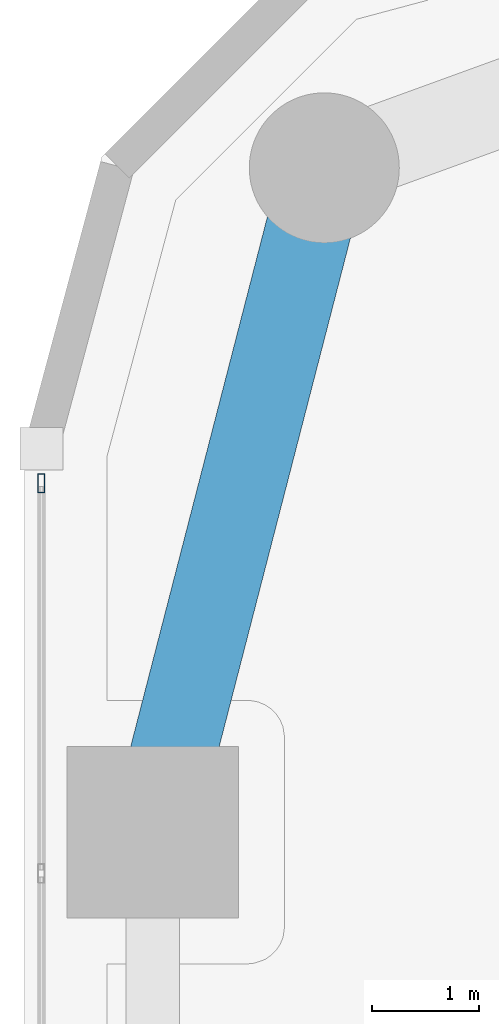
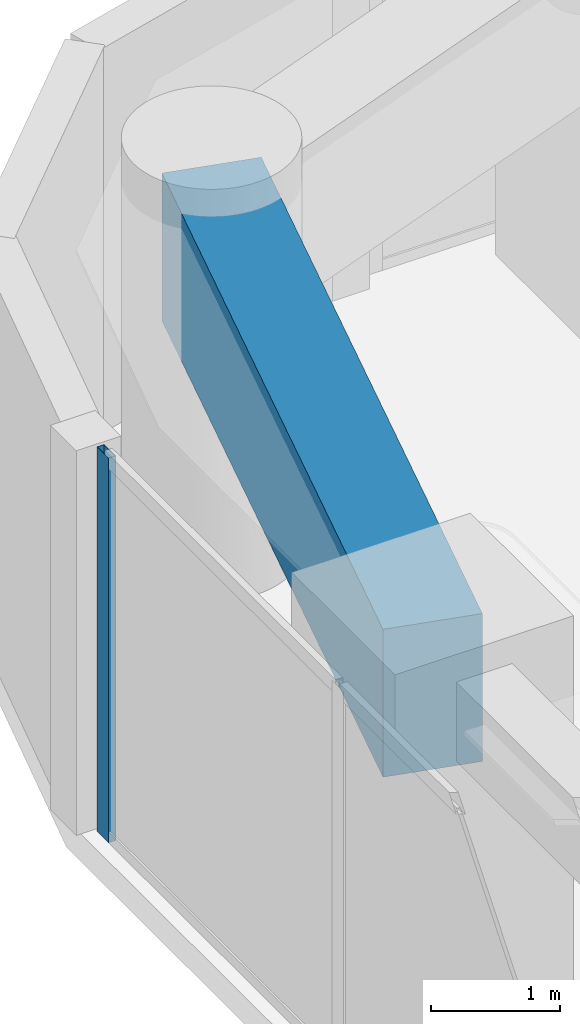
# One storey, part 14 of 28: 1 beam, 1 member, 1 element without a shape of its own.
"""IFC4 building model written with IfcOpenShell, lengths in metres."""

from ifc_helpers import new_model, si_unit, direction, frame, origin, origin_2d, place, context, subcontext, project, spatial, rectangle, hollow_rectangle, extrude, material, layer, layer_set, material_profile, profile_set, type_object, element, aggregate, save


model = new_model("IFC4")

# Units and contexts
model_context = context("Model", 3, precision=1e-05, world=origin(), true_north=direction((0.0, 1.0)))
body_context = subcontext(model_context, "Body", "Model", "MODEL_VIEW")
ifc_project = project(units=[si_unit("LENGTHUNIT", "METRE"), si_unit("AREAUNIT", "SQUARE_METRE"), si_unit("VOLUMEUNIT", "CUBIC_METRE"), si_unit("PLANEANGLEUNIT", "RADIAN"), si_unit("MASSUNIT", "GRAM", prefix="KILO")], contexts=[model_context])

# Site, building, storey
site_placement = place(None, origin())
site = spatial("IfcSite", under=ifc_project, at=site_placement, CompositionType="ELEMENT")
building_placement = place(site_placement, origin())
building = spatial("IfcBuilding", under=site, at=building_placement, Name="Kiyonajd Concourse Tower", CompositionType="ELEMENT")
storey_placement = place(building_placement, frame((0.0, 0.0, 33.300048828125)))
storey = spatial("IfcBuildingStorey", under=building, at=storey_placement, Name="L09", CompositionType="ELEMENT", Elevation=33.300048828125)

# Beam
ifc_material_1 = material(Name="Concrete C60/75", Category="concrete")
ifc_material_profile_1 = material_profile(ifc_material_1, rectangle(XDim=0.800048828125, YDim=1.39990234375, at=origin_2d()), Name="RCBM-800x1400")
ifc_profile_set_1 = profile_set([ifc_material_profile_1], Name="Concrete C60/75")
beam_type = type_object("IfcBeamType", Name="BM-XFER-RC", PredefinedType="BEAM", material=ifc_profile_set_1)
beam_placement = place(storey_placement, frame((20.800048828125, 59.60009765625, 2.93994140625), z_axis=(-0.249884937687, -0.968275538221, 0.0), x_axis=(0.968275538221, -0.249884937687, 0.0)))
element("IfcBeam", 1, at=beam_placement, inside=storey, type_object=beam_type, Name="L09 Perimeter Bundled Tube Spandrel", PredefinedType="BEAM", context=body_context, shape_type="SweptSolid", body=[
    extrude(rectangle(XDim=0.800048828125, YDim=1.39990234375, at=origin_2d()), origin(), (0.0, 0.0, 1.0), 6.4033203125),
])

# Curtain wall, member
ifc_material_2 = material(Name="Thermally Broken Anodised Aluminium", Category="aluminium")
ifc_layer = layer(ifc_material_2, 0.179931640625)
ifc_layer_set = layer_set([ifc_layer], Name="Thermally Broken Anodised Aluminium")
curtain_wall_type = type_object("IfcCurtainWallType", Name="CW-SYS-02", PredefinedType="NOTDEFINED", material=ifc_layer_set)
curtain_wall_placement = place(storey_placement, origin())
curtain_wall = element("IfcCurtainWall", 2, at=curtain_wall_placement, inside=storey, type_object=curtain_wall_type, Name="L09 Unitised Curtain Wall CW2", PredefinedType="NOTDEFINED")
ifc_material_profile_2 = material_profile(ifc_material_2, hollow_rectangle(XDim=0.06494140625, YDim=0.179931640625, WallThickness=0.00390625, at=origin_2d()), Name="MULL-65x180")
ifc_profile_set_2 = profile_set([ifc_material_profile_2], Name="Thermally Broken Anodised Aluminium")
member_type = type_object("IfcMemberType", Name="MB-CW-MULL1", PredefinedType="MULLION", material=ifc_profile_set_2)
member_placement = place(storey_placement, frame((18.159912109375, 56.656494140625, 0.0), z_axis=(0.0, 0.0, 1.0), x_axis=(-1.0, 0.0, 0.0)))
member = element("IfcMember", 3, at=member_placement, type_object=member_type, Name="CW2 mullion 7", PredefinedType="MULLION", context=body_context, shape_type="SweptSolid", body=[
    extrude(hollow_rectangle(XDim=0.06494140625, YDim=0.179931640625, WallThickness=0.00390625, at=origin_2d()), origin(), (0.0, 0.0, 1.0), 3.639892578125),
])
aggregate(curtain_wall, [member])

save(model, "model.ifc")
